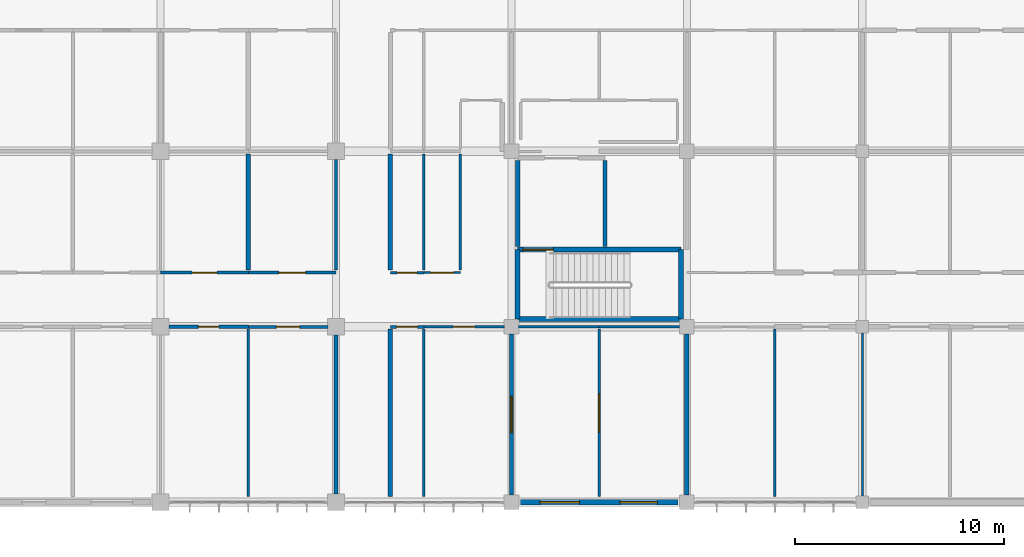
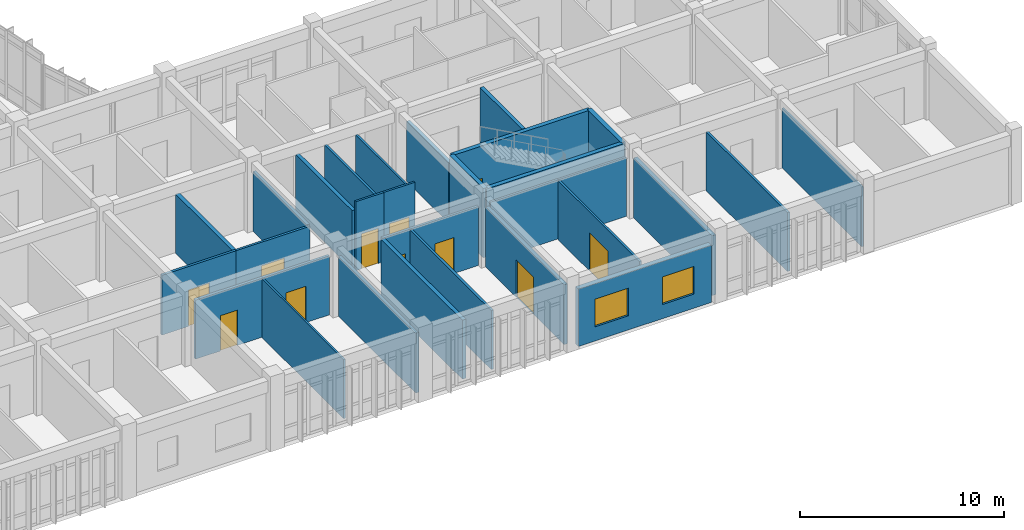
# One storey, part 116 of 144: 31 walls, 11 doors, 2 windows, 13 openings.
"""IFC4 building model written with IfcOpenShell, lengths in metres."""

from ifc_helpers import new_model, si_unit, direction, frame, frame_2d, origin, place, context, subcontext, project, spatial, rectangle, extrude, material, layer, layer_set, type_object, element, fill, save


model = new_model("IFC4")

# Units and contexts
model_context = context("Model", 3, precision=1e-05, world=origin(), true_north=direction((0.0, 1.0)))
body_context = subcontext(model_context, "Body", "Model", "MODEL_VIEW")
ifc_project = project(units=[si_unit("LENGTHUNIT", "METRE"), si_unit("AREAUNIT", "SQUARE_METRE"), si_unit("VOLUMEUNIT", "CUBIC_METRE"), si_unit("PLANEANGLEUNIT", "RADIAN"), si_unit("MASSUNIT", "GRAM", prefix="KILO")], contexts=[model_context])

# Site, building, storey
site_placement = place(None, origin())
site = spatial("IfcSite", under=ifc_project, at=site_placement, CompositionType="ELEMENT")
building_placement = place(site_placement, origin())
building = spatial("IfcBuilding", under=site, at=building_placement, Name="Bramfleet General Hospital", CompositionType="ELEMENT")
storey_placement = place(building_placement, frame((0.0, 0.0, 4.800048828125)))
storey = spatial("IfcBuildingStorey", under=building, at=storey_placement, Name="L01", CompositionType="ELEMENT", Elevation=4.800048828125)

# Wall, openings, windows
ifc_material_1 = material(Name="Precast concrete C40/50", Category="concrete")
ifc_layer_1 = layer(ifc_material_1, 0.280029296875, Name="WT-EW-06")
ifc_layer_set_1 = layer_set([ifc_layer_1], Name="Precast concrete C40/50")
wall_type_1 = type_object("IfcWallType", Name="WT-EW-06", PredefinedType="SOLIDWALL", material=ifc_layer_set_1)
wall_1_placement = place(storey_placement, frame((150.77490234375, 0.0, 0.0), z_axis=(0.0, 0.0, 1.0), x_axis=(-1.0, 0.0, 0.0)))
wall_1 = element("IfcWall", 1, at=wall_1_placement, inside=storey, type_object=wall_type_1, Name="L01 Exterior Wall 186", PredefinedType="SOLIDWALL", context=body_context, shape_type="SweptSolid", body=[
    extrude(rectangle(XDim=7.5498046875, YDim=0.280029296875, at=frame_2d((3.77490234375, 0.0))), origin(), (0.0, 0.0, 1.0), 3.43994140625),
])
opening_1_placement = place(wall_1_placement, frame((0.987548828125, 0.0, 0.85009765625)))
opening_1 = element("IfcOpeningElement", 2, at=opening_1_placement, cuts=wall_1, Name="Opening W-38", PredefinedType="OPENING", context=body_context, shape_type="SweptSolid", body=[
    extrude(rectangle(XDim=1.800048828125, YDim=1.659912109375, at=frame_2d((0.89990234375, 0.830078125))), frame((0.0, 0.14990234375, 0.0), z_axis=(0.0, -1.0, 0.0), x_axis=(1.0, 0.0, 0.0)), (0.0, 0.0, 1.0), 0.300048828125),
])
opening_2_placement = place(wall_1_placement, frame((4.71240234375, 0.0, 0.85009765625)))
opening_2 = element("IfcOpeningElement", 3, at=opening_2_placement, cuts=wall_1, Name="Opening W-39", PredefinedType="OPENING", context=body_context, shape_type="SweptSolid", body=[
    extrude(rectangle(XDim=1.89990234375, YDim=1.659912109375, at=frame_2d((0.949951171875, 0.830078125))), frame((0.0, 0.14990234375, 0.0), z_axis=(0.0, -1.0, 0.0), x_axis=(1.0, 0.0, 0.0)), (0.0, 0.0, 1.0), 0.300048828125),
])
ifc_material_2 = material(Name="Anodised aluminium and low-E triple glazing", Category="aluminium")
window_type_1 = type_object("IfcWindowType", Name="WIN-W-38", PartitioningType="SINGLE_PANEL", PredefinedType="WINDOW", material=ifc_material_2)
window_1_placement = place(opening_1_placement, origin())
window_1 = element("IfcWindow", 4, at=window_1_placement, inside=storey, type_object=window_type_1, Name="L01 Facade Window WIN-L01-186-1", OverallHeight=1.659912109375, OverallWidth=1.800048828125, PartitioningType="SINGLE_PANEL", PredefinedType="WINDOW", context=body_context, shape_type="SweptSolid", body=[
    extrude(rectangle(XDim=1.800048828125, YDim=1.659912109375, at=frame_2d((0.89990234375, 0.830078125))), frame((0.0, 0.030029296875, 0.0), z_axis=(0.0, -1.0, 0.0), x_axis=(1.0, 0.0, 0.0)), (0.0, 0.0, 1.0), 0.06005859375),
])
fill(opening_1, window_1)
window_type_2 = type_object("IfcWindowType", Name="WIN-W-39", PartitioningType="SINGLE_PANEL", PredefinedType="WINDOW", material=ifc_material_2)
window_2_placement = place(opening_2_placement, origin())
window_2 = element("IfcWindow", 5, at=window_2_placement, inside=storey, type_object=window_type_2, Name="L01 Facade Window WIN-L01-186-2", OverallHeight=1.659912109375, OverallWidth=1.89990234375, PartitioningType="SINGLE_PANEL", PredefinedType="WINDOW", context=body_context, shape_type="SweptSolid", body=[
    extrude(rectangle(XDim=1.89990234375, YDim=1.659912109375, at=frame_2d((0.949951171875, 0.830078125))), frame((0.0, 0.030029296875, 0.0), z_axis=(0.0, -1.0, 0.0), x_axis=(1.0, 0.0, 0.0)), (0.0, 0.0, 1.0), 0.06005859375),
])
fill(opening_2, window_2)

# Walls
ifc_material_3 = material(Name="Concrete C35/45", Category="concrete")
ifc_layer_2 = layer(ifc_material_3, 0.219970703125, Name="WT-IW-01")
ifc_layer_set_2 = layer_set([ifc_layer_2], Name="Concrete C35/45")
wall_type_2 = type_object("IfcWallType", Name="WT-IW-01", PredefinedType="PARTITIONING", material=ifc_layer_set_2)
wall_2_placement = place(storey_placement, frame((130.199951171875, 11.114990234375, 0.0), z_axis=(0.0, 0.0, 1.0), x_axis=(0.0, 1.0, 0.0)))
element("IfcWall", 6, at=wall_2_placement, inside=storey, type_object=wall_type_2, Name="L01 Interior Partition IW-L01-1873", PredefinedType="PARTITIONING", context=body_context, shape_type="SweptSolid", body=[
    extrude(rectangle(XDim=5.570068359375, YDim=0.219970703125, at=frame_2d((2.78515625, 0.0))), origin(), (0.0, 0.0, 1.0), 3.5400390625),
])
wall_3_placement = place(storey_placement, frame((137.0, 0.280029296875, 0.0), z_axis=(0.0, 0.0, 1.0), x_axis=(0.0, 1.0, 0.0)))
element("IfcWall", 7, at=wall_3_placement, inside=storey, type_object=wall_type_2, Name="L01 Interior Partition IW-L01-1885", PredefinedType="PARTITIONING", context=body_context, shape_type="SweptSolid", body=[
    extrude(rectangle(XDim=8.0048828125, YDim=0.219970703125, at=frame_2d((4.00244140625, 0.0))), origin(), (0.0, 0.0, 1.0), 3.5400390625),
])
wall_4_placement = place(storey_placement, frame((151.199951171875, 0.344970703125, 0.0), z_axis=(0.0, 0.0, 1.0), x_axis=(0.0, 1.0, 0.0)))
element("IfcWall", 8, at=wall_4_placement, inside=storey, type_object=wall_type_2, Name="L01 Interior Partition IW-L01-1909", PredefinedType="PARTITIONING", context=body_context, shape_type="SweptSolid", body=[
    extrude(rectangle(XDim=7.7099609375, YDim=0.219970703125, at=frame_2d((3.85498046875, 0.0))), origin(), (0.0, 0.0, 1.0), 3.58984375),
])
ifc_layer_3 = layer(ifc_material_3, 0.205078125, Name="WT-IW-02")
ifc_layer_set_3 = layer_set([ifc_layer_3], Name="Concrete C35/45")
wall_type_3 = type_object("IfcWallType", Name="WT-IW-02", PredefinedType="PARTITIONING", material=ifc_layer_set_3)
wall_5_placement = place(storey_placement, frame((147.280029296875, 12.239990234375, 0.0), z_axis=(0.0, 0.0, 1.0), x_axis=(0.0, 1.0, 0.0)))
element("IfcWall", 9, at=wall_5_placement, inside=storey, type_object=wall_type_3, Name="L01 C10 Lobby East Shaft Wall", PredefinedType="PARTITIONING", context=body_context, shape_type="SweptSolid", body=[
    extrude(rectangle(XDim=4.1201171875, YDim=0.205078125, at=frame_2d((2.06005859375, 0.0))), origin(), (0.0, 0.0, 1.0), 4.139892578125),
])
wall_6_placement = place(storey_placement, frame((143.10009765625, 12.239990234375, 0.0), z_axis=(0.0, 0.0, 1.0), x_axis=(0.0, 1.0, 0.0)))
element("IfcWall", 10, at=wall_6_placement, inside=storey, type_object=wall_type_3, Name="L01 C10 Lobby West Compartment Wall", PredefinedType="PARTITIONING", context=body_context, shape_type="SweptSolid", body=[
    extrude(rectangle(XDim=4.1201171875, YDim=0.205078125, at=frame_2d((2.06005859375, 0.0))), origin(), (0.0, 0.0, 1.0), 3.58984375),
])
wall_7_placement = place(storey_placement, frame((137.0, 11.114990234375, 0.0), z_axis=(0.0, 0.0, 1.0), x_axis=(0.0, 1.0, 0.0)))
element("IfcWall", 11, at=wall_7_placement, inside=storey, type_object=wall_type_3, Name="L01 Interior Partition IW-L01-1886", PredefinedType="PARTITIONING", context=body_context, shape_type="SweptSolid", body=[
    extrude(rectangle(XDim=5.570068359375, YDim=0.205078125, at=frame_2d((2.78515625, 0.0))), origin(), (0.0, 0.0, 1.0), 3.5400390625),
])

# Wall, opening, door
wall_8_placement = place(storey_placement, frame((142.800048828125, 0.344970703125, 0.0), z_axis=(0.0, 0.0, 1.0), x_axis=(0.0, 1.0, 0.0)))
wall_8 = element("IfcWall", 12, at=wall_8_placement, inside=storey, type_object=wall_type_3, Name="L01 Interior Partition IW-L01-1898", PredefinedType="PARTITIONING", context=body_context, shape_type="SweptSolid", body=[
    extrude(rectangle(XDim=7.7099609375, YDim=0.205078125, at=frame_2d((3.85498046875, 0.0))), origin(), (0.0, 0.0, 1.0), 3.58984375),
])
opening_3_placement = place(wall_8_placement, frame((2.985107421875, 0.0, 0.0)))
opening_3 = element("IfcOpeningElement", 13, at=opening_3_placement, cuts=wall_8, Name="Opening D0819", PredefinedType="OPENING", context=body_context, shape_type="SweptSolid", body=[
    extrude(rectangle(XDim=1.739990234375, YDim=2.239990234375, at=frame_2d((0.8701171875, 1.1201171875))), frame((0.0, 0.112548828125, 0.0), z_axis=(0.0, -1.0, 0.0), x_axis=(1.0, 0.0, 0.0)), (0.0, 0.0, 1.0), 0.22509765625),
])
ifc_material_4 = material(Name="Stainless steel and acoustic timber leaf", Category="steel")
door_type_1 = type_object("IfcDoorType", Name="DR-D-19", OperationType="NOTDEFINED", PredefinedType="DOOR", material=ifc_material_4)
door_1_placement = place(opening_3_placement, origin())
door_1 = element("IfcDoor", 14, at=door_1_placement, inside=storey, type_object=door_type_1, Name="Outpatient Specialist Clinic L01-1700A Door D0819", OperationType="DOUBLE_SWING_RIGHT", OverallHeight=2.239990234375, OverallWidth=1.739990234375, PredefinedType="DOOR", context=body_context, shape_type="SweptSolid", body=[
    extrude(rectangle(XDim=1.739990234375, YDim=2.239990234375, at=frame_2d((0.8701171875, 1.1201171875))), frame((0.0, 0.02490234375, 0.0), z_axis=(0.0, -1.0, 0.0), x_axis=(1.0, 0.0, 0.0)), (0.0, 0.0, 1.0), 0.050048828125),
])
fill(opening_3, door_1)

# Wall
ifc_material_5 = material(Name="Gypsum plasterboard on acoustic steel studs", Category="steel")
ifc_layer_4 = layer(ifc_material_5, 0.169921875, Name="WT-IW-05")
ifc_layer_set_4 = layer_set([ifc_layer_4], Name="Gypsum plasterboard on acoustic steel studs")
wall_type_4 = type_object("IfcWallType", Name="WT-IW-05", PredefinedType="PARTITIONING", material=ifc_layer_set_4)
wall_9_placement = place(storey_placement, frame((134.39990234375, 0.39501953125, 0.0), z_axis=(0.0, 0.0, 1.0), x_axis=(0.0, 1.0, 0.0)))
element("IfcWall", 15, at=wall_9_placement, inside=storey, type_object=wall_type_4, Name="L01 Interior Partition IW-L01-1877", PredefinedType="PARTITIONING", context=body_context, shape_type="SweptSolid", body=[
    extrude(rectangle(XDim=7.60986328125, YDim=0.169921875, at=frame_2d((3.804931640625, 0.0))), origin(), (0.0, 0.0, 1.0), 3.58984375),
])

# Wall, opening, door
ifc_layer_5 = layer(ifc_material_5, 0.159912109375, Name="WT-IW-06")
ifc_layer_set_5 = layer_set([ifc_layer_5], Name="Gypsum plasterboard on acoustic steel studs")
wall_type_5 = type_object("IfcWallType", Name="WT-IW-06", PredefinedType="PARTITIONING", material=ifc_layer_set_5)
wall_10_placement = place(storey_placement, frame((126.39501953125, 8.39990234375, 0.0), z_axis=(0.0, 0.0, 1.0), x_axis=(1.0, 0.0, 0.0)))
wall_10 = element("IfcWall", 16, at=wall_10_placement, inside=storey, type_object=wall_type_5, Name="L01 Interior Partition IW-L01-1218", PredefinedType="PARTITIONING", context=body_context, shape_type="SweptSolid", body=[
    extrude(rectangle(XDim=3.804931640625, YDim=0.159912109375, at=frame_2d((1.90234375, 0.0))), origin(), (0.0, 0.0, 1.0), 3.5400390625),
])
opening_4_placement = place(wall_10_placement, frame((1.41259765625, 0.0, 0.0)))
opening_4 = element("IfcOpeningElement", 17, at=opening_4_placement, cuts=wall_10, Name="Opening D0794", PredefinedType="OPENING", context=body_context, shape_type="SweptSolid", body=[
    extrude(rectangle(XDim=0.97998046875, YDim=2.1201171875, at=frame_2d((0.489990234375, 1.06005859375))), frame((0.0, 0.08984375, 0.0), z_axis=(0.0, -1.0, 0.0), x_axis=(1.0, 0.0, 0.0)), (0.0, 0.0, 1.0), 0.179931640625),
])
door_type_2 = type_object("IfcDoorType", Name="DR-D-26", OperationType="NOTDEFINED", PredefinedType="DOOR", material=ifc_material_4)
door_2_placement = place(opening_4_placement, origin())
door_2 = element("IfcDoor", 18, at=door_2_placement, inside=storey, type_object=door_type_2, Name="Outpatient Specialist Clinic L01-1500A Door D0794", OperationType="SINGLE_SWING_LEFT", OverallHeight=2.1201171875, OverallWidth=0.97998046875, PredefinedType="DOOR", context=body_context, shape_type="SweptSolid", body=[
    extrude(rectangle(XDim=0.97998046875, YDim=2.1201171875, at=frame_2d((0.489990234375, 1.06005859375))), frame((0.0, 0.02490234375, 0.0), z_axis=(0.0, -1.0, 0.0), x_axis=(1.0, 0.0, 0.0)), (0.0, 0.0, 1.0), 0.050048828125),
])
fill(opening_4, door_2)

# Wall
wall_11_placement = place(storey_placement, frame((134.39990234375, 11.114990234375, 0.0), z_axis=(0.0, 0.0, 1.0), x_axis=(0.0, 1.0, 0.0)))
element("IfcWall", 19, at=wall_11_placement, inside=storey, type_object=wall_type_5, Name="L01 Interior Partition IW-L01-1878", PredefinedType="PARTITIONING", context=body_context, shape_type="SweptSolid", body=[
    extrude(rectangle(XDim=5.2900390625, YDim=0.159912109375, at=frame_2d((2.64501953125, 0.0))), origin(), (0.0, 0.0, 1.0), 3.58984375),
])

# Wall, opening, door
ifc_layer_6 = layer(ifc_material_5, 0.14990234375, Name="WT-IW-07")
ifc_layer_set_6 = layer_set([ifc_layer_6], Name="Gypsum plasterboard on acoustic steel studs")
wall_type_6 = type_object("IfcWallType", Name="WT-IW-07", PredefinedType="PARTITIONING", material=ifc_layer_set_6)
wall_12_placement = place(storey_placement, frame((130.199951171875, 8.39990234375, 0.0), z_axis=(0.0, 0.0, 1.0), x_axis=(1.0, 0.0, 0.0)))
wall_12 = element("IfcWall", 20, at=wall_12_placement, inside=storey, type_object=wall_type_6, Name="L01 Interior Partition IW-L01-1219", PredefinedType="PARTITIONING", context=body_context, shape_type="SweptSolid", body=[
    extrude(rectangle(XDim=3.804931640625, YDim=0.14990234375, at=frame_2d((1.90234375, 0.0))), origin(), (0.0, 0.0, 1.0), 3.5400390625),
])
opening_5_placement = place(wall_12_placement, frame((1.342529296875, 0.0, 0.0)))
opening_5 = element("IfcOpeningElement", 21, at=opening_5_placement, cuts=wall_12, Name="Opening D0795", PredefinedType="OPENING", context=body_context, shape_type="SweptSolid", body=[
    extrude(rectangle(XDim=1.1201171875, YDim=2.179931640625, at=frame_2d((0.56005859375, 1.08984375))), frame((0.0, 0.0849609375, 0.0), z_axis=(0.0, -1.0, 0.0), x_axis=(1.0, 0.0, 0.0)), (0.0, 0.0, 1.0), 0.169921875),
])
door_type_3 = type_object("IfcDoorType", Name="DR-D-27", OperationType="NOTDEFINED", PredefinedType="DOOR", material=ifc_material_4)
door_3_placement = place(opening_5_placement, origin())
door_3 = element("IfcDoor", 22, at=door_3_placement, inside=storey, type_object=door_type_3, Name="Outpatient Consultation Room L01-1500B Door D0795", OperationType="SINGLE_SWING_RIGHT", OverallHeight=2.179931640625, OverallWidth=1.1201171875, PredefinedType="DOOR", context=body_context, shape_type="SweptSolid", body=[
    extrude(rectangle(XDim=1.1201171875, YDim=2.179931640625, at=frame_2d((0.56005859375, 1.08984375))), frame((0.0, 0.02490234375, 0.0), z_axis=(0.0, -1.0, 0.0), x_axis=(1.0, 0.0, 0.0)), (0.0, 0.0, 1.0), 0.050048828125),
])
fill(opening_5, door_3)

ifc_layer_7 = layer(ifc_material_5, 0.139892578125, Name="WT-IW-08")
ifc_layer_set_7 = layer_set([ifc_layer_7], Name="Gypsum plasterboard on acoustic steel studs")
wall_type_7 = type_object("IfcWallType", Name="WT-IW-08", PredefinedType="PARTITIONING", material=ifc_layer_set_7)
wall_13_placement = place(storey_placement, frame((137.0, 8.39990234375, 0.0), z_axis=(0.0, 0.0, 1.0), x_axis=(1.0, 0.0, 0.0)))
wall_13 = element("IfcWall", 23, at=wall_13_placement, inside=storey, type_object=wall_type_7, Name="L01 Interior Partition IW-L01-1220", PredefinedType="PARTITIONING", context=body_context, shape_type="SweptSolid", body=[
    extrude(rectangle(XDim=1.60009765625, YDim=0.139892578125, at=frame_2d((0.800048828125, 0.0))), origin(), (0.0, 0.0, 1.0), 3.5400390625),
])
opening_6_placement = place(wall_13_placement, frame((0.300048828125, 0.0, 0.0)))
opening_6 = element("IfcOpeningElement", 24, at=opening_6_placement, cuts=wall_13, Name="Opening D0808", PredefinedType="OPENING", context=body_context, shape_type="SweptSolid", body=[
    extrude(rectangle(XDim=1.0, YDim=2.14990234375, at=frame_2d((0.5, 1.074951171875))), frame((0.0, 0.079833984375, 0.0), z_axis=(0.0, -1.0, 0.0), x_axis=(1.0, 0.0, 0.0)), (0.0, 0.0, 1.0), 0.159912109375),
])
door_type_4 = type_object("IfcDoorType", Name="DR-D-08", OperationType="NOTDEFINED", PredefinedType="DOOR", material=ifc_material_4)
door_4_placement = place(opening_6_placement, origin())
door_4 = element("IfcDoor", 25, at=door_4_placement, inside=storey, type_object=door_type_4, Name="Outpatient Specialist Clinic L01-1600A Door D0808", OperationType="SINGLE_SWING_LEFT", OverallHeight=2.14990234375, OverallWidth=1.0, PredefinedType="DOOR", context=body_context, shape_type="SweptSolid", body=[
    extrude(rectangle(XDim=1.0, YDim=2.14990234375, at=frame_2d((0.5, 1.074951171875))), frame((0.0, 0.02490234375, 0.0), z_axis=(0.0, -1.0, 0.0), x_axis=(1.0, 0.0, 0.0)), (0.0, 0.0, 1.0), 0.050048828125),
])
fill(opening_6, door_4)

wall_14_placement = place(storey_placement, frame((126.0, 11.0, 0.0), z_axis=(0.0, 0.0, 1.0), x_axis=(1.0, 0.0, 0.0)))
wall_14 = element("IfcWall", 26, at=wall_14_placement, inside=storey, type_object=wall_type_7, Name="L01 Interior Partition IW-L01-1244", PredefinedType="PARTITIONING", context=body_context, shape_type="SweptSolid", body=[
    extrude(rectangle(XDim=4.199951171875, YDim=0.139892578125, at=frame_2d((2.10009765625, 0.0))), origin(), (0.0, 0.0, 1.0), 3.58984375),
])
opening_7_placement = place(wall_14_placement, frame((1.510009765625, 0.0, 0.0)))
opening_7 = element("IfcOpeningElement", 27, at=opening_7_placement, cuts=wall_14, Name="Opening D0796", PredefinedType="OPENING", context=body_context, shape_type="SweptSolid", body=[
    extrude(rectangle(XDim=1.179931640625, YDim=2.179931640625, at=frame_2d((0.58984375, 1.08984375))), frame((0.0, 0.079833984375, 0.0), z_axis=(0.0, -1.0, 0.0), x_axis=(1.0, 0.0, 0.0)), (0.0, 0.0, 1.0), 0.159912109375),
])
door_type_5 = type_object("IfcDoorType", Name="DR-D-28", OperationType="NOTDEFINED", PredefinedType="DOOR", material=ifc_material_4)
door_5_placement = place(opening_7_placement, origin())
door_5 = element("IfcDoor", 28, at=door_5_placement, inside=storey, type_object=door_type_5, Name="Outpatient Specialist Clinic L01-1501A Door D0796", OperationType="SINGLE_SWING_LEFT", OverallHeight=2.179931640625, OverallWidth=1.179931640625, PredefinedType="DOOR", context=body_context, shape_type="SweptSolid", body=[
    extrude(rectangle(XDim=1.179931640625, YDim=2.179931640625, at=frame_2d((0.58984375, 1.08984375))), frame((0.0, 0.02490234375, 0.0), z_axis=(0.0, -1.0, 0.0), x_axis=(1.0, 0.0, 0.0)), (0.0, 0.0, 1.0), 0.050048828125),
])
fill(opening_7, door_5)

# Wall
wall_15_placement = place(storey_placement, frame((138.60009765625, 0.280029296875, 0.0), z_axis=(0.0, 0.0, 1.0), x_axis=(0.0, 1.0, 0.0)))
element("IfcWall", 29, at=wall_15_placement, inside=storey, type_object=wall_type_7, Name="L01 Interior Partition IW-L01-1892", PredefinedType="PARTITIONING", context=body_context, shape_type="SweptSolid", body=[
    extrude(rectangle(XDim=8.0048828125, YDim=0.139892578125, at=frame_2d((4.00244140625, 0.0))), origin(), (0.0, 0.0, 1.0), 3.5400390625),
])

# Wall, opening, door
ifc_layer_8 = layer(ifc_material_5, 0.1298828125, Name="WT-IW-09")
ifc_layer_set_8 = layer_set([ifc_layer_8], Name="Gypsum plasterboard on acoustic steel studs")
wall_type_8 = type_object("IfcWallType", Name="WT-IW-09", PredefinedType="PARTITIONING", material=ifc_layer_set_8)
wall_16_placement = place(storey_placement, frame((138.60009765625, 8.39990234375, 0.0), z_axis=(0.0, 0.0, 1.0), x_axis=(1.0, 0.0, 0.0)))
wall_16 = element("IfcWall", 30, at=wall_16_placement, inside=storey, type_object=wall_type_8, Name="L01 Interior Partition IW-L01-1221", PredefinedType="PARTITIONING", context=body_context, shape_type="SweptSolid", body=[
    extrude(rectangle(XDim=3.85498046875, YDim=0.1298828125, at=frame_2d((1.927490234375, 0.0))), origin(), (0.0, 0.0, 1.0), 3.5400390625),
])
opening_8_placement = place(wall_16_placement, frame((1.402587890625, 0.0, 0.0)))
opening_8 = element("IfcOpeningElement", 31, at=opening_8_placement, cuts=wall_16, Name="Opening D0809", PredefinedType="OPENING", context=body_context, shape_type="SweptSolid", body=[
    extrude(rectangle(XDim=1.050048828125, YDim=2.14990234375, at=frame_2d((0.52490234375, 1.074951171875))), frame((0.0, 0.074951171875, 0.0), z_axis=(0.0, -1.0, 0.0), x_axis=(1.0, 0.0, 0.0)), (0.0, 0.0, 1.0), 0.14990234375),
])
door_type_6 = type_object("IfcDoorType", Name="DR-D-09", OperationType="NOTDEFINED", PredefinedType="DOOR", material=ifc_material_4)
door_6_placement = place(opening_8_placement, origin())
door_6 = element("IfcDoor", 32, at=door_6_placement, inside=storey, type_object=door_type_6, Name="Outpatient Consultation Room L01-1600B Door D0809", OperationType="SINGLE_SWING_RIGHT", OverallHeight=2.14990234375, OverallWidth=1.050048828125, PredefinedType="DOOR", context=body_context, shape_type="SweptSolid", body=[
    extrude(rectangle(XDim=1.050048828125, YDim=2.14990234375, at=frame_2d((0.52490234375, 1.074951171875))), frame((0.0, 0.02490234375, 0.0), z_axis=(0.0, -1.0, 0.0), x_axis=(1.0, 0.0, 0.0)), (0.0, 0.0, 1.0), 0.050048828125),
])
fill(opening_8, door_6)

wall_17_placement = place(storey_placement, frame((130.199951171875, 11.0, 0.0), z_axis=(0.0, 0.0, 1.0), x_axis=(1.0, 0.0, 0.0)))
wall_17 = element("IfcWall", 33, at=wall_17_placement, inside=storey, type_object=wall_type_8, Name="L01 Interior Partition IW-L01-1245", PredefinedType="PARTITIONING", context=body_context, shape_type="SweptSolid", body=[
    extrude(rectangle(XDim=4.199951171875, YDim=0.1298828125, at=frame_2d((2.10009765625, 0.0))), origin(), (0.0, 0.0, 1.0), 3.58984375),
])
opening_9_placement = place(wall_17_placement, frame((1.4599609375, 0.0, 0.0)))
opening_9 = element("IfcOpeningElement", 34, at=opening_9_placement, cuts=wall_17, Name="Opening D0797", PredefinedType="OPENING", context=body_context, shape_type="SweptSolid", body=[
    extrude(rectangle(XDim=1.280029296875, YDim=2.179931640625, at=frame_2d((0.64013671875, 1.08984375))), frame((0.0, 0.074951171875, 0.0), z_axis=(0.0, -1.0, 0.0), x_axis=(1.0, 0.0, 0.0)), (0.0, 0.0, 1.0), 0.14990234375),
])
door_type_7 = type_object("IfcDoorType", Name="DR-D-29", OperationType="NOTDEFINED", PredefinedType="DOOR", material=ifc_material_4)
door_7_placement = place(opening_9_placement, origin())
door_7 = element("IfcDoor", 35, at=door_7_placement, inside=storey, type_object=door_type_7, Name="Outpatient Consultation Room L01-1501B Door D0797", OperationType="SINGLE_SWING_RIGHT", OverallHeight=2.179931640625, OverallWidth=1.280029296875, PredefinedType="DOOR", context=body_context, shape_type="SweptSolid", body=[
    extrude(rectangle(XDim=1.280029296875, YDim=2.179931640625, at=frame_2d((0.64013671875, 1.08984375))), frame((0.0, 0.02490234375, 0.0), z_axis=(0.0, -1.0, 0.0), x_axis=(1.0, 0.0, 0.0)), (0.0, 0.0, 1.0), 0.050048828125),
])
fill(opening_9, door_7)

# Walls
wall_18_placement = place(storey_placement, frame((138.60009765625, 11.114990234375, 0.0), z_axis=(0.0, 0.0, 1.0), x_axis=(0.0, 1.0, 0.0)))
element("IfcWall", 36, at=wall_18_placement, inside=storey, type_object=wall_type_8, Name="L01 Interior Partition IW-L01-1893", PredefinedType="PARTITIONING", context=body_context, shape_type="SweptSolid", body=[
    extrude(rectangle(XDim=5.570068359375, YDim=0.1298828125, at=frame_2d((2.78515625, 0.0))), origin(), (0.0, 0.0, 1.0), 3.5400390625),
])
wall_19_placement = place(storey_placement, frame((155.39990234375, 0.280029296875, 0.0), z_axis=(0.0, 0.0, 1.0), x_axis=(0.0, 1.0, 0.0)))
element("IfcWall", 37, at=wall_19_placement, inside=storey, type_object=wall_type_8, Name="L01 Interior Partition IW-L01-1917", PredefinedType="PARTITIONING", context=body_context, shape_type="SweptSolid", body=[
    extrude(rectangle(XDim=8.0048828125, YDim=0.1298828125, at=frame_2d((4.00244140625, 0.0))), origin(), (0.0, 0.0, 1.0), 3.5400390625),
])
ifc_layer_9 = layer(ifc_material_5, 0.1201171875, Name="WT-IW-10")
ifc_layer_set_9 = layer_set([ifc_layer_9], Name="Gypsum plasterboard on acoustic steel studs")
wall_type_9 = type_object("IfcWallType", Name="WT-IW-10", PredefinedType="PARTITIONING", material=ifc_layer_set_9)
wall_20_placement = place(storey_placement, frame((143.14501953125, 8.39990234375, 0.0), z_axis=(0.0, 0.0, 1.0), x_axis=(1.0, 0.0, 0.0)))
element("IfcWall", 38, at=wall_20_placement, inside=storey, type_object=wall_type_9, Name="L01 Interior Partition IW-L01-1222", PredefinedType="PARTITIONING", context=body_context, shape_type="SweptSolid", body=[
    extrude(rectangle(XDim=3.85498046875, YDim=0.1201171875, at=frame_2d((1.927490234375, 0.0))), origin(), (0.0, 0.0, 1.0), 3.5400390625),
])

# Wall, opening, door
wall_21_placement = place(storey_placement, frame((137.0, 11.0, 0.0), z_axis=(0.0, 0.0, 1.0), x_axis=(1.0, 0.0, 0.0)))
wall_21 = element("IfcWall", 39, at=wall_21_placement, inside=storey, type_object=wall_type_9, Name="L01 Interior Partition IW-L01-1246", PredefinedType="PARTITIONING", context=body_context, shape_type="SweptSolid", body=[
    extrude(rectangle(XDim=1.60009765625, YDim=0.1201171875, at=frame_2d((0.800048828125, 0.0))), origin(), (0.0, 0.0, 1.0), 4.139892578125),
])
opening_10_placement = place(wall_21_placement, frame((0.324951171875, 0.0, 0.0)))
opening_10 = element("IfcOpeningElement", 40, at=opening_10_placement, cuts=wall_21, Name="Opening D0810", PredefinedType="OPENING", context=body_context, shape_type="SweptSolid", body=[
    extrude(rectangle(XDim=0.949951171875, YDim=2.10009765625, at=frame_2d((0.47509765625, 1.050048828125))), frame((0.0, 0.070068359375, 0.0), z_axis=(0.0, -1.0, 0.0), x_axis=(1.0, 0.0, 0.0)), (0.0, 0.0, 1.0), 0.14013671875),
])
door_type_8 = type_object("IfcDoorType", Name="DR-D-10", OperationType="NOTDEFINED", PredefinedType="DOOR", material=ifc_material_4)
door_8_placement = place(opening_10_placement, origin())
door_8 = element("IfcDoor", 41, at=door_8_placement, inside=storey, type_object=door_type_8, Name="Outpatient Specialist Clinic L01-1601A Door D0810", OperationType="SINGLE_SWING_LEFT", OverallHeight=2.10009765625, OverallWidth=0.949951171875, PredefinedType="DOOR", context=body_context, shape_type="SweptSolid", body=[
    extrude(rectangle(XDim=0.949951171875, YDim=2.10009765625, at=frame_2d((0.47509765625, 1.050048828125))), frame((0.0, 0.02490234375, 0.0), z_axis=(0.0, -1.0, 0.0), x_axis=(1.0, 0.0, 0.0)), (0.0, 0.0, 1.0), 0.050048828125),
])
fill(opening_10, door_8)

wall_22_placement = place(storey_placement, frame((147.0, 0.280029296875, 0.0), z_axis=(0.0, 0.0, 1.0), x_axis=(0.0, 1.0, 0.0)))
wall_22 = element("IfcWall", 42, at=wall_22_placement, inside=storey, type_object=wall_type_9, Name="L01 Interior Partition IW-L01-1906", PredefinedType="PARTITIONING", context=body_context, shape_type="SweptSolid", body=[
    extrude(rectangle(XDim=8.0048828125, YDim=0.1201171875, at=frame_2d((4.00244140625, 0.0))), origin(), (0.0, 0.0, 1.0), 3.5400390625),
])
opening_11_placement = place(wall_22_placement, frame((3.08251953125, 0.0, 0.0)))
opening_11 = element("IfcOpeningElement", 43, at=opening_11_placement, cuts=wall_22, Name="Opening D0820", PredefinedType="OPENING", context=body_context, shape_type="SweptSolid", body=[
    extrude(rectangle(XDim=1.840087890625, YDim=2.280029296875, at=frame_2d((0.919921875, 1.14013671875))), frame((0.0, 0.070068359375, 0.0), z_axis=(0.0, -1.0, 0.0), x_axis=(1.0, 0.0, 0.0)), (0.0, 0.0, 1.0), 0.14013671875),
])
door_type_9 = type_object("IfcDoorType", Name="DR-D-20", OperationType="NOTDEFINED", PredefinedType="DOOR", material=ifc_material_4)
door_9_placement = place(opening_11_placement, origin())
door_9 = element("IfcDoor", 44, at=door_9_placement, inside=storey, type_object=door_type_9, Name="Outpatient Consultation Room L01-1700B Door D0820", OperationType="DOUBLE_SWING_LEFT", OverallHeight=2.280029296875, OverallWidth=1.840087890625, PredefinedType="DOOR", context=body_context, shape_type="SweptSolid", body=[
    extrude(rectangle(XDim=1.840087890625, YDim=2.280029296875, at=frame_2d((0.919921875, 1.14013671875))), frame((0.0, 0.02490234375, 0.0), z_axis=(0.0, -1.0, 0.0), x_axis=(1.0, 0.0, 0.0)), (0.0, 0.0, 1.0), 0.050048828125),
])
fill(opening_11, door_9)

# Wall
ifc_layer_10 = layer(ifc_material_5, 0.112060546875, Name="WT-IW-11")
ifc_layer_set_10 = layer_set([ifc_layer_10], Name="Gypsum plasterboard on acoustic steel studs")
wall_type_10 = type_object("IfcWallType", Name="WT-IW-11", PredefinedType="PARTITIONING", material=ifc_layer_set_10)
wall_23_placement = place(storey_placement, frame((147.0, 8.39990234375, 0.0), z_axis=(0.0, 0.0, 1.0), x_axis=(1.0, 0.0, 0.0)))
element("IfcWall", 45, at=wall_23_placement, inside=storey, type_object=wall_type_10, Name="L01 Interior Partition IW-L01-1223", PredefinedType="PARTITIONING", context=body_context, shape_type="SweptSolid", body=[
    extrude(rectangle(XDim=3.85498046875, YDim=0.112060546875, at=frame_2d((1.927490234375, 0.0))), origin(), (0.0, 0.0, 1.0), 3.5400390625),
])

# Wall, opening, door
wall_24_placement = place(storey_placement, frame((138.60009765625, 11.0, 0.0), z_axis=(0.0, 0.0, 1.0), x_axis=(1.0, 0.0, 0.0)))
wall_24 = element("IfcWall", 46, at=wall_24_placement, inside=storey, type_object=wall_type_10, Name="L01 Interior Partition IW-L01-1247", PredefinedType="PARTITIONING", context=body_context, shape_type="SweptSolid", body=[
    extrude(rectangle(XDim=1.75, YDim=0.112060546875, at=frame_2d((0.875, 0.0))), origin(), (0.0, 0.0, 1.0), 4.139892578125),
])
opening_12_placement = place(wall_24_placement, frame((0.324951171875, 0.0, 0.0)))
opening_12 = element("IfcOpeningElement", 47, at=opening_12_placement, cuts=wall_24, Name="Opening D0811", PredefinedType="OPENING", context=body_context, shape_type="SweptSolid", body=[
    extrude(rectangle(XDim=1.10009765625, YDim=2.14990234375, at=frame_2d((0.550048828125, 1.074951171875))), frame((0.0, 0.06591796875, 0.0), z_axis=(0.0, -1.0, 0.0), x_axis=(1.0, 0.0, 0.0)), (0.0, 0.0, 1.0), 0.132080078125),
])
door_type_10 = type_object("IfcDoorType", Name="DR-D-11", OperationType="NOTDEFINED", PredefinedType="DOOR", material=ifc_material_4)
door_10_placement = place(opening_12_placement, origin())
door_10 = element("IfcDoor", 48, at=door_10_placement, inside=storey, type_object=door_type_10, Name="Outpatient Consultation Room L01-1601B Door D0811", OperationType="SINGLE_SWING_RIGHT", OverallHeight=2.14990234375, OverallWidth=1.10009765625, PredefinedType="DOOR", context=body_context, shape_type="SweptSolid", body=[
    extrude(rectangle(XDim=1.10009765625, YDim=2.14990234375, at=frame_2d((0.550048828125, 1.074951171875))), frame((0.0, 0.02490234375, 0.0), z_axis=(0.0, -1.0, 0.0), x_axis=(1.0, 0.0, 0.0)), (0.0, 0.0, 1.0), 0.050048828125),
])
fill(opening_12, door_10)

# Walls
wall_25_placement = place(storey_placement, frame((140.35009765625, 11.114990234375, 0.0), z_axis=(0.0, 0.0, 1.0), x_axis=(0.0, 1.0, 0.0)))
element("IfcWall", 49, at=wall_25_placement, inside=storey, type_object=wall_type_10, Name="L01 Interior Partition IW-L01-1895", PredefinedType="PARTITIONING", context=body_context, shape_type="SweptSolid", body=[
    extrude(rectangle(XDim=5.570068359375, YDim=0.112060546875, at=frame_2d((2.78515625, 0.0))), origin(), (0.0, 0.0, 1.0), 3.5400390625),
])
ifc_layer_11 = layer(ifc_material_5, 0.10009765625, Name="WT-IW-12")
ifc_layer_set_11 = layer_set([ifc_layer_11], Name="Gypsum plasterboard on acoustic steel studs")
wall_type_11 = type_object("IfcWallType", Name="WT-IW-12", PredefinedType="PARTITIONING", material=ifc_layer_set_11)
wall_26_placement = place(storey_placement, frame((130.199951171875, 0.280029296875, 0.0), z_axis=(0.0, 0.0, 1.0), x_axis=(0.0, 1.0, 0.0)))
element("IfcWall", 50, at=wall_26_placement, inside=storey, type_object=wall_type_11, Name="L01 Interior Partition IW-L01-1872", PredefinedType="PARTITIONING", context=body_context, shape_type="SweptSolid", body=[
    extrude(rectangle(XDim=8.0048828125, YDim=0.10009765625, at=frame_2d((4.00244140625, 0.0))), origin(), (0.0, 0.0, 1.0), 3.5400390625),
])
wall_27_placement = place(storey_placement, frame((159.60009765625, 0.294921875, 0.0), z_axis=(0.0, 0.0, 1.0), x_axis=(0.0, 1.0, 0.0)))
element("IfcWall", 51, at=wall_27_placement, inside=storey, type_object=wall_type_11, Name="L01 Interior Partition IW-L01-1920", PredefinedType="PARTITIONING", context=body_context, shape_type="SweptSolid", body=[
    extrude(rectangle(XDim=7.81005859375, YDim=0.10009765625, at=frame_2d((3.905029296875, 0.0))), origin(), (0.0, 0.0, 1.0), 3.58984375),
])
ifc_material_6 = material(Name="Concrete C40/50", Category="concrete")
ifc_layer_12 = layer(ifc_material_6, 0.239990234375, Name="WT-SW-240")
ifc_layer_set_12 = layer_set([ifc_layer_12], Name="Concrete C40/50")
wall_type_12 = type_object("IfcWallType", Name="WT-SW-240", PredefinedType="SHEAR", material=ifc_layer_set_12)
wall_28_placement = place(storey_placement, frame((143.10009765625, 8.780029296875, 0.0), z_axis=(0.0, 0.0, 1.0), x_axis=(1.0, 0.0, 0.0)))
element("IfcWall", 52, at=wall_28_placement, inside=storey, type_object=wall_type_12, Name="L01 C10 South Stair Shear Wall", PredefinedType="SHEAR", context=body_context, shape_type="SweptSolid", body=[
    extrude(rectangle(XDim=7.81982421875, YDim=0.239990234375, at=frame_2d((3.909912109375, 0.0))), origin(), (0.0, 0.0, 1.0), 4.14990234375),
])
for number, where, z_axis, x_axis, name in (
    (53, (143.10009765625, 8.780029296875, 0.0), (0.0, 0.0, 1.0), (0.0, 1.0, 0.0), "L01 C10 West Stair Shear Wall"),
    (54, (150.919921875, 8.780029296875, 0.0), (0.0, 0.0, 1.0), (0.0, 1.0, 0.0), "L01 C10 East Stair Shear Wall"),
):
    element("IfcWall", number, at=place(storey_placement, frame(where, z_axis=z_axis, x_axis=x_axis)), inside=storey, type_object=wall_type_12, Name=name, PredefinedType="SHEAR", context=body_context, shape_type="SweptSolid", body=[
        extrude(rectangle(XDim=3.320068359375, YDim=0.239990234375, at=frame_2d((1.66015625, 0.0))), origin(), (0.0, 0.0, 1.0), 4.14990234375),
    ])

# Wall, opening, door
wall_29_placement = place(storey_placement, frame((143.10009765625, 12.10009765625, 0.0), z_axis=(0.0, 0.0, 1.0), x_axis=(1.0, 0.0, 0.0)))
wall_29 = element("IfcWall", 55, at=wall_29_placement, inside=storey, type_object=wall_type_12, Name="L01 C10 Stair-Lobby Shear Wall", PredefinedType="SHEAR", context=body_context, shape_type="SweptSolid", body=[
    extrude(rectangle(XDim=7.81982421875, YDim=0.239990234375, at=frame_2d((3.909912109375, 0.0))), origin(), (0.0, 0.0, 1.0), 4.14990234375),
])
opening_13_placement = place(wall_29_placement, frame((0.25, 0.0, 0.0)))
opening_13 = element("IfcOpeningElement", 56, at=opening_13_placement, cuts=wall_29, Name="Opening D0127", PredefinedType="OPENING", context=body_context, shape_type="SweptSolid", body=[
    extrude(rectangle(XDim=1.449951171875, YDim=2.199951171875, at=frame_2d((0.72509765625, 1.10009765625))), frame((0.0, 0.1298828125, 0.0), z_axis=(0.0, -1.0, 0.0), x_axis=(1.0, 0.0, 0.0)), (0.0, 0.0, 1.0), 0.260009765625),
])
door_type_11 = type_object("IfcDoorType", Name="DR-D-03", OperationType="NOTDEFINED", PredefinedType="DOOR", material=ifc_material_4)
door_11_placement = place(opening_13_placement, origin())
door_11 = element("IfcDoor", 57, at=door_11_placement, inside=storey, type_object=door_type_11, Name="L01 C10 Escape Stair Fire Door D0127", OperationType="SINGLE_SWING_RIGHT", OverallHeight=2.199951171875, OverallWidth=1.449951171875, PredefinedType="DOOR", context=body_context, shape_type="SweptSolid", body=[
    extrude(rectangle(XDim=1.449951171875, YDim=2.199951171875, at=frame_2d((0.72509765625, 1.10009765625))), frame((0.0, 0.02490234375, 0.0), z_axis=(0.0, -1.0, 0.0), x_axis=(1.0, 0.0, 0.0)), (0.0, 0.0, 1.0), 0.050048828125),
])
fill(opening_13, door_11)

save(model, "model.ifc")
